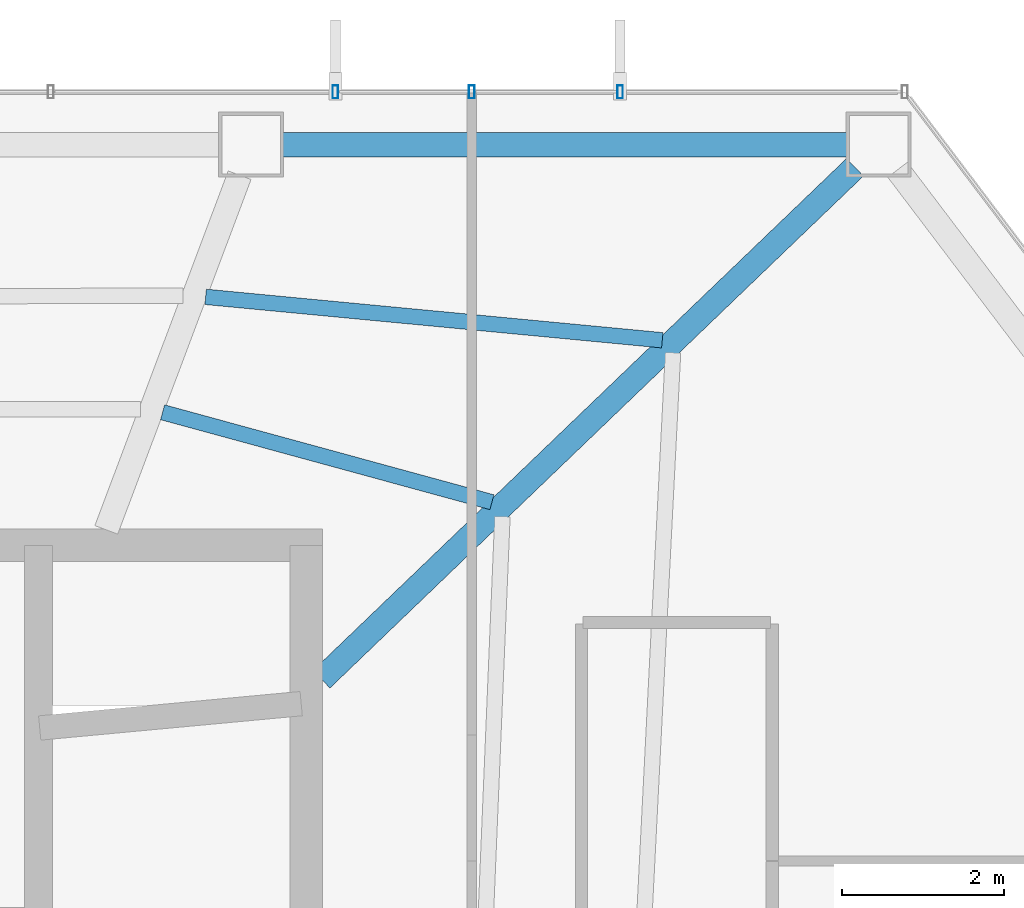
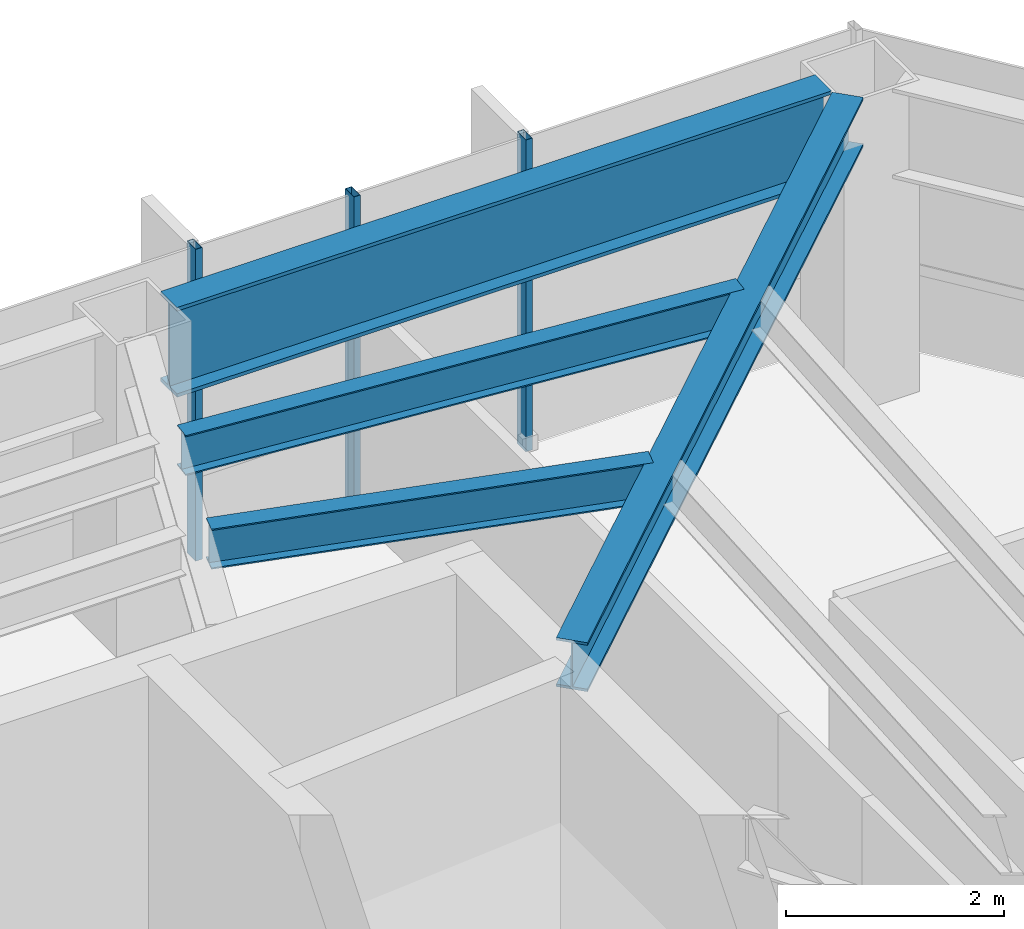
# One storey, part 22 of 28: 4 beams, 3 members, 1 element without a shape of its own.
"""IFC4 building model written with IfcOpenShell, lengths in metres."""

from ifc_helpers import new_model, si_unit, direction, frame, origin, origin_2d, place, context, subcontext, project, spatial, hollow_rectangle, i_section, extrude, material, layer, layer_set, material_profile, profile_set, type_object, element, aggregate, save


model = new_model("IFC4")

# Units and contexts
model_context = context("Model", 3, precision=1e-05, world=origin(), true_north=direction((0.0, 1.0)))
body_context = subcontext(model_context, "Body", "Model", "MODEL_VIEW")
ifc_project = project(units=[si_unit("LENGTHUNIT", "METRE"), si_unit("AREAUNIT", "SQUARE_METRE"), si_unit("VOLUMEUNIT", "CUBIC_METRE"), si_unit("PLANEANGLEUNIT", "RADIAN"), si_unit("MASSUNIT", "GRAM", prefix="KILO")], contexts=[model_context])

# Site, building, storey
site_placement = place(None, origin())
site = spatial("IfcSite", under=ifc_project, at=site_placement, CompositionType="ELEMENT")
building_placement = place(site_placement, origin())
building = spatial("IfcBuilding", under=site, at=building_placement, Name="Zarrinselat Tower", CompositionType="ELEMENT")
storey_placement = place(building_placement, frame((0.0, 0.0, 149.60009765625)))
storey = spatial("IfcBuildingStorey", under=building, at=storey_placement, Name="L36", CompositionType="ELEMENT", Elevation=149.60009765625)

# Beams
ifc_material_1 = material(Name="Steel S355J2", Category="steel")
ifc_material_profile_1 = material_profile(ifc_material_1, i_section(OverallWidth=0.300048828125, OverallDepth=0.550048828125, WebThickness=0.014892578125, FlangeThickness=0.029052734375, at=origin_2d()), Name="HEB 550")
ifc_profile_set_1 = profile_set([ifc_material_profile_1], Name="Steel S355J2")
beam_type_1 = type_object("IfcBeamType", Name="BM-HEB550", PredefinedType="BEAM", material=ifc_profile_set_1)
beam_1_placement = place(storey_placement, frame((48.449951171875, 41.800048828125, 3.224853515625), z_axis=(0.721502505311, 0.692411824588, 0.0), x_axis=(-0.692411824588, 0.721502505311, 0.0)))
element("IfcBeam", 1, at=beam_1_placement, inside=storey, type_object=beam_type_1, Name="L36 Radial Primary Girder RG01", PredefinedType="BEAM", context=body_context, shape_type="SweptSolid", body=[
    extrude(i_section(OverallWidth=0.300048828125, OverallDepth=0.550048828125, WebThickness=0.014892578125, FlangeThickness=0.029052734375, at=origin_2d()), origin(), (0.0, 0.0, 1.0), 9.105712890625),
])
ifc_material_2 = material(Name="Steel S460M", Category="steel")
ifc_material_profile_2 = material_profile(ifc_material_2, i_section(OverallWidth=0.302001953125, OverallDepth=1.008056640625, WebThickness=0.02099609375, FlangeThickness=0.0400390625, at=origin_2d()), Name="HEM 1000")
ifc_profile_set_2 = profile_set([ifc_material_profile_2], Name="Steel S460M")
beam_type_2 = type_object("IfcBeamType", Name="BM-HEM1000", PredefinedType="BEAM", material=ifc_profile_set_2)
beam_2_placement = place(storey_placement, frame((47.971435546875, 48.38330078125, 2.995849609375), z_axis=(1.0, 0.0, 0.0), x_axis=(0.0, 1.0, 0.0)))
element("IfcBeam", 2, at=beam_2_placement, inside=storey, type_object=beam_type_2, Name="L36 Perimeter Spandrel Girder SP01", PredefinedType="BEAM", context=body_context, shape_type="SweptSolid", body=[
    extrude(i_section(OverallWidth=0.302001953125, OverallDepth=1.008056640625, WebThickness=0.02099609375, FlangeThickness=0.0400390625, at=origin_2d()), origin(), (0.0, 0.0, 1.0), 6.9501953125),
])
ifc_material_3 = material(Name="Steel S355J2", Category="steel")
ifc_material_profile_3 = material_profile(ifc_material_3, i_section(OverallWidth=0.18994140625, OverallDepth=0.449951171875, WebThickness=0.009521484375, FlangeThickness=0.0146484375, at=origin_2d()), Name="IPE 450")
ifc_profile_set_3 = profile_set([ifc_material_profile_3], Name="Steel S355J2")
beam_type_3 = type_object("IfcBeamType", Name="BM-IPE450", PredefinedType="JOIST", material=ifc_profile_set_3)
beam_3_placement = place(storey_placement, frame((47.023193359375, 46.509033203125, 3.27490234375), z_axis=(0.995514295442, -0.09461124442, 0.0), x_axis=(0.09461124442, 0.995514295442, 0.0)))
element("IfcBeam", 3, at=beam_3_placement, inside=storey, type_object=beam_type_3, Name="L36 Composite Floor Joist 6-1", PredefinedType="JOIST", context=body_context, shape_type="SweptSolid", body=[
    extrude(i_section(OverallWidth=0.18994140625, OverallDepth=0.449951171875, WebThickness=0.009521484375, FlangeThickness=0.0146484375, at=origin_2d()), origin(), (0.0, 0.0, 1.0), 5.648681640625),
])
beam_4_placement = place(storey_placement, frame((46.493408203125, 45.087890625, 3.27490234375), z_axis=(0.964675309481, -0.263441734124, 0.0), x_axis=(0.263441734124, 0.964675309481, 0.0)))
element("IfcBeam", 4, at=beam_4_placement, inside=storey, type_object=beam_type_3, Name="L36 Composite Floor Joist 6-2", PredefinedType="JOIST", context=body_context, shape_type="SweptSolid", body=[
    extrude(i_section(OverallWidth=0.18994140625, OverallDepth=0.449951171875, WebThickness=0.009521484375, FlangeThickness=0.0146484375, at=origin_2d()), origin(), (0.0, 0.0, 1.0), 4.20361328125),
])

# Curtain wall, members
ifc_material_4 = material(Name="Extruded Aluminium Alloy EN AW-6063 T6", Category="aluminium")
ifc_layer = layer(ifc_material_4, 0.175048828125)
ifc_layer_set = layer_set([ifc_layer], Name="Extruded Aluminium Alloy EN AW-6063 T6")
curtain_wall_type = type_object("IfcCurtainWallType", Name="CWS-HTL", PredefinedType="NOTDEFINED", material=ifc_layer_set)
curtain_wall_placement = place(storey_placement, origin())
curtain_wall = element("IfcCurtainWall", 5, at=curtain_wall_placement, inside=storey, type_object=curtain_wall_type, Name="L36 Unitised Curtain Wall CW-L36-E01", PredefinedType="NOTDEFINED")
ifc_material_5 = material(Name="Extruded Aluminium Alloy EN AW-6063 T6", Category="aluminium")
ifc_material_profile_4 = material_profile(ifc_material_5, hollow_rectangle(XDim=0.070068359375, YDim=0.159912109375, WallThickness=0.00390625, at=origin_2d()), Name="RHS 160x70x4")
ifc_profile_set_4 = profile_set([ifc_material_profile_4], Name="Extruded Aluminium Alloy EN AW-6063 T6")
member_type = type_object("IfcMemberType", Name="MEM-CW-MUL2", PredefinedType="MULLION", material=ifc_profile_set_4)
member_1_placement = place(storey_placement, frame((52.126953125, 49.033203125, 0.0), z_axis=(0.0, 0.0, 1.0), x_axis=(-1.0, 0.0, 0.0)))
member_1 = element("IfcMember", 6, at=member_1_placement, type_object=member_type, Name="CW-L36-E01 Mullion 1", PredefinedType="MULLION", context=body_context, shape_type="SweptSolid", body=[
    extrude(hollow_rectangle(XDim=0.070068359375, YDim=0.159912109375, WallThickness=0.00390625, at=origin_2d()), origin(), (0.0, 0.0, 1.0), 3.5),
])
member_2_placement = place(storey_placement, frame((50.300048828125, 49.033203125, 0.0), z_axis=(0.0, 0.0, 1.0), x_axis=(-1.0, 0.0, 0.0)))
member_2 = element("IfcMember", 7, at=member_2_placement, type_object=member_type, Name="CW-L36-E01 Mullion 2", PredefinedType="MULLION", context=body_context, shape_type="SweptSolid", body=[
    extrude(hollow_rectangle(XDim=0.070068359375, YDim=0.159912109375, WallThickness=0.00390625, at=origin_2d()), origin(), (0.0, 0.0, 1.0), 3.5),
])
member_3_placement = place(storey_placement, frame((48.621337890625, 49.033203125, 0.0), z_axis=(0.0, 0.0, 1.0), x_axis=(-1.0, 0.0, 0.0)))
member_3 = element("IfcMember", 8, at=member_3_placement, type_object=member_type, Name="CW-L36-E01 Mullion 3", PredefinedType="MULLION", context=body_context, shape_type="SweptSolid", body=[
    extrude(hollow_rectangle(XDim=0.070068359375, YDim=0.159912109375, WallThickness=0.00390625, at=origin_2d()), origin(), (0.0, 0.0, 1.0), 3.5),
])
aggregate(curtain_wall, [member_1, member_2, member_3])

save(model, "model.ifc")
